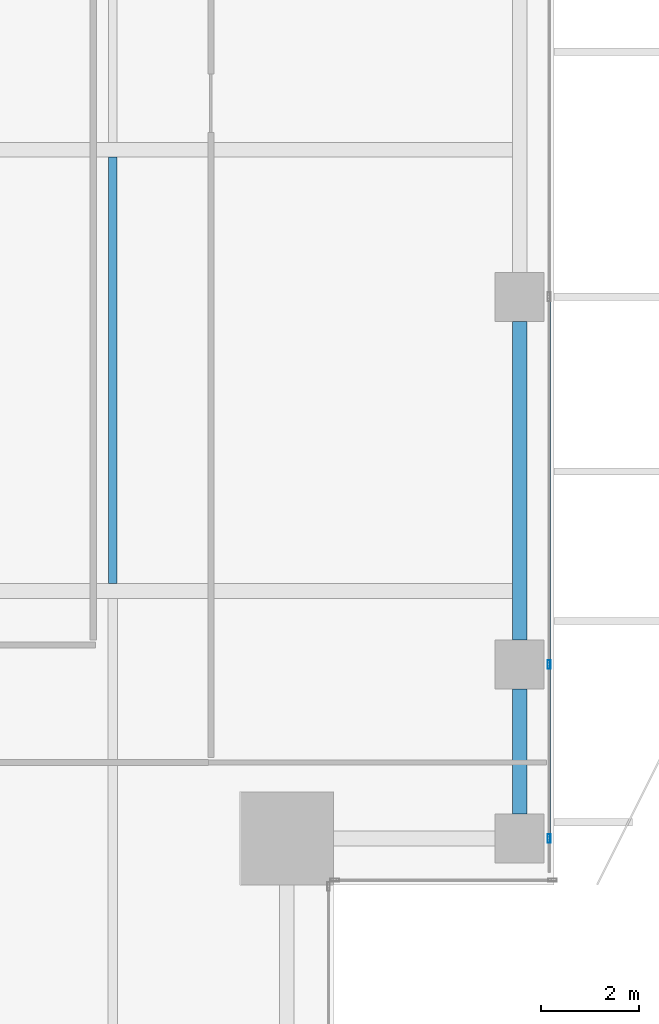
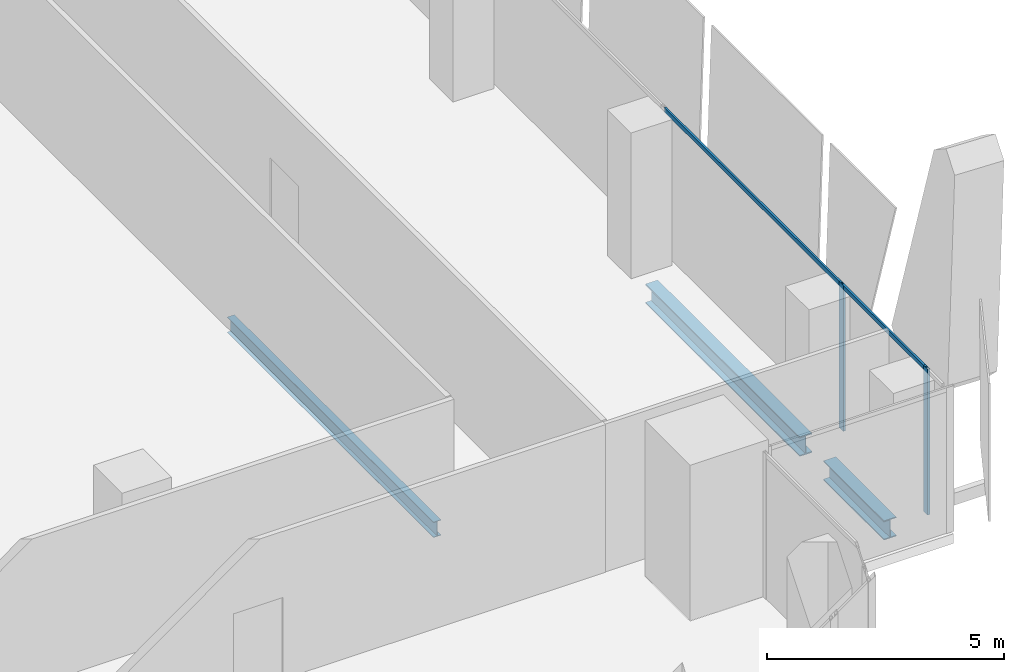
# One storey, part 12 of 38: 4 members, 3 beams, 1 element without a shape of its own.
"""IFC4 building model written with IfcOpenShell, lengths in metres."""

from ifc_helpers import new_model, si_unit, direction, frame, origin, origin_2d, place, context, subcontext, project, spatial, hollow_rectangle, i_section, extrude, source, transform, mapped, material, material_profile, profile_set, type_object, element, aggregate, save


model = new_model("IFC4")

# Units and contexts
model_context = context("Model", 3, precision=1e-05, world=origin(), true_north=direction((0.0, 1.0)))
body_context = subcontext(model_context, "Body", "Model", "MODEL_VIEW")
ifc_project = project(units=[si_unit("LENGTHUNIT", "METRE"), si_unit("AREAUNIT", "SQUARE_METRE"), si_unit("VOLUMEUNIT", "CUBIC_METRE"), si_unit("PLANEANGLEUNIT", "RADIAN"), si_unit("MASSUNIT", "GRAM", prefix="KILO")], contexts=[model_context])

# Site, building, storey
site_placement = place(None, origin())
site = spatial("IfcSite", under=ifc_project, at=site_placement, CompositionType="ELEMENT")
building_placement = place(site_placement, origin())
building = spatial("IfcBuilding", under=site, at=building_placement, Name="Khomas Fold Tower", CompositionType="ELEMENT")
storey_placement = place(building_placement, frame((0.0, 0.0, 208.699951171875)))
storey = spatial("IfcBuildingStorey", under=building, at=storey_placement, Name="L46", CompositionType="ELEMENT", Elevation=208.699951171875)

# Beams
ifc_material_1 = material(Name="Steel S355", Category="steel")
ifc_material_profile_1 = material_profile(ifc_material_1, i_section(OverallWidth=0.179931640625, OverallDepth=0.39990234375, WebThickness=0.008544921875, FlangeThickness=0.013427734375, at=origin_2d()), Name="IPE 400")
ifc_profile_set_1 = profile_set([ifc_material_profile_1], Name="Steel S355")
beam_type_1 = type_object("IfcBeamType", Name="IPE 400 beam JB3", PredefinedType="BEAM", material=ifc_profile_set_1)
shared_shape_1 = source(origin(), body_context, "Body", "SweptSolid", [
    extrude(i_section(OverallWidth=0.179931640625, OverallDepth=0.39990234375, WebThickness=0.008544921875, FlangeThickness=0.013427734375, at=origin_2d()), origin(), (0.0, 0.0, 1.0), 8.7001953125),
])
beam_1_placement = place(storey_placement, frame((42.0, 13.64990234375, -0.449951171875), z_axis=(0.0, 1.0, 0.0), x_axis=(-1.0, 0.0, 0.0)))
element("IfcBeam", 1, at=beam_1_placement, inside=storey, type_object=beam_type_1, Name="JB3", PredefinedType="BEAM", context=body_context, shape_type="MappedRepresentation", body=[
    mapped(shared_shape_1, transform((0.0, 0.0, 0.0))),
])
ifc_material_2 = material(Name="Steel S355", Category="steel")
ifc_material_profile_2 = material_profile(ifc_material_2, i_section(OverallWidth=0.300048828125, OverallDepth=0.5, WebThickness=0.014404296875, FlangeThickness=0.028076171875, at=origin_2d()), Name="HE 500 B")
ifc_profile_set_2 = profile_set([ifc_material_profile_2], Name="Steel S355")
beam_type_2 = type_object("IfcBeamType", Name="HE 500 B spandrel SB3", PredefinedType="SPANDREL", material=ifc_profile_set_2)
shared_shape_2 = source(origin(), body_context, "Body", "SweptSolid", [
    extrude(i_section(OverallWidth=0.300048828125, OverallDepth=0.5, WebThickness=0.014404296875, FlangeThickness=0.028076171875, at=origin_2d()), origin(), (0.0, 0.0, 1.0), 2.550048828125),
])
beam_2_placement = place(storey_placement, frame((50.300048828125, 8.949951171875, -0.5), z_axis=(0.0, 1.0, 0.0), x_axis=(-1.0, 0.0, 0.0)))
element("IfcBeam", 2, at=beam_2_placement, inside=storey, type_object=beam_type_2, Name="SB3", PredefinedType="SPANDREL", context=body_context, shape_type="MappedRepresentation", body=[
    mapped(shared_shape_2, transform((0.0, 0.0, 0.0))),
])
shared_shape_3 = source(origin(), body_context, "Body", "SweptSolid", [
    extrude(i_section(OverallWidth=0.300048828125, OverallDepth=0.5, WebThickness=0.014404296875, FlangeThickness=0.028076171875, at=origin_2d()), origin(), (0.0, 0.0, 1.0), 6.5),
])
beam_3_placement = place(storey_placement, frame((50.300048828125, 12.5, -0.5), z_axis=(0.0, 1.0, 0.0), x_axis=(-1.0, 0.0, 0.0)))
element("IfcBeam", 3, at=beam_3_placement, inside=storey, type_object=beam_type_2, Name="SB3", PredefinedType="SPANDREL", context=body_context, shape_type="MappedRepresentation", body=[
    mapped(shared_shape_3, transform((0.0, 0.0, 0.0))),
])

# Curtain wall, members
ifc_material_3 = material(Name="Aluminium framed double glazing", Category="aluminium")
curtain_wall_type = type_object("IfcCurtainWallType", Name="SK-Unitised clear-glass wall, office floors CW2", PredefinedType="NOTDEFINED", material=ifc_material_3)
curtain_wall_placement = place(storey_placement, origin())
curtain_wall = element("IfcCurtainWall", 4, at=curtain_wall_placement, inside=storey, type_object=curtain_wall_type, Name="CW2 run L46 03-0", PredefinedType="NOTDEFINED")
ifc_material_4 = material(Name="Aluminium", Category="aluminium")
ifc_material_profile_3 = material_profile(ifc_material_4, hollow_rectangle(XDim=0.06005859375, YDim=0.179931640625, WallThickness=0.00390625, at=origin_2d()), Name="SK-Unitised clear-glass wall, office floors mullion CW2-M")
ifc_profile_set_3 = profile_set([ifc_material_profile_3], Name="Aluminium")
member_type_1 = type_object("IfcMemberType", Name="SK-Unitised clear-glass wall, office floors mullion CW2-M", PredefinedType="MULLION", material=ifc_profile_set_3)
shared_shape_4 = source(origin(), body_context, "Body", "SweptSolid", [
    extrude(hollow_rectangle(XDim=0.06005859375, YDim=0.179931640625, WallThickness=0.00390625, at=origin_2d()), origin(), (0.0, 0.0, 1.0), 3.75),
])
member_1_placement = place(storey_placement, frame((50.89990234375, 8.449951171875, 0.0), z_axis=(0.0, 0.0, 1.0), x_axis=(-1.0, 0.0, 0.0)))
member_1 = element("IfcMember", 5, at=member_1_placement, type_object=member_type_1, Name="CW2 mullion 2", PredefinedType="MULLION", context=body_context, shape_type="MappedRepresentation", body=[
    mapped(shared_shape_4, transform((0.0, 0.0, 0.0))),
])
member_2_placement = place(storey_placement, frame((50.89990234375, 12.0, 0.0), z_axis=(0.0, 0.0, 1.0), x_axis=(-1.0, 0.0, 0.0)))
member_2 = element("IfcMember", 6, at=member_2_placement, type_object=member_type_1, Name="CW2 mullion 3", PredefinedType="MULLION", context=body_context, shape_type="MappedRepresentation", body=[
    mapped(shared_shape_4, transform((0.0, 0.0, 0.0))),
])
ifc_material_5 = material(Name="Aluminium", Category="aluminium")
ifc_material_profile_4 = material_profile(ifc_material_5, hollow_rectangle(XDim=0.050048828125, YDim=0.110107421875, WallThickness=0.00390625, at=origin_2d()), Name="SK-Unitised clear-glass wall, office floors transom CW2-T")
ifc_profile_set_4 = profile_set([ifc_material_profile_4], Name="Aluminium")
member_type_2 = type_object("IfcMemberType", Name="SK-Unitised clear-glass wall, office floors transom CW2-T", PredefinedType="USERDEFINED", material=ifc_profile_set_4)
shared_shape_5 = source(origin(), body_context, "Body", "SweptSolid", [
    extrude(hollow_rectangle(XDim=0.050048828125, YDim=0.110107421875, WallThickness=0.00390625, at=origin_2d()), origin(), (0.0, 0.0, 1.0), 3.489990234375),
])
member_3_placement = place(storey_placement, frame((50.89990234375, 8.47998046875, 3.695068359375), z_axis=(0.0, 1.0, 0.0), x_axis=(-1.0, 0.0, 0.0)))
member_3 = element("IfcMember", 7, at=member_3_placement, type_object=member_type_2, Name="CW2 transom 2", ObjectType="TRANSOM", PredefinedType="USERDEFINED", context=body_context, shape_type="MappedRepresentation", body=[
    mapped(shared_shape_5, transform((0.0, 0.0, 0.0))),
])
shared_shape_6 = source(origin(), body_context, "Body", "SweptSolid", [
    extrude(hollow_rectangle(XDim=0.050048828125, YDim=0.110107421875, WallThickness=0.00390625, at=origin_2d()), origin(), (0.0, 0.0, 1.0), 7.43994140625),
])
member_4_placement = place(storey_placement, frame((50.89990234375, 12.030029296875, 3.695068359375), z_axis=(0.0, 1.0, 0.0), x_axis=(-1.0, 0.0, 0.0)))
member_4 = element("IfcMember", 8, at=member_4_placement, type_object=member_type_2, Name="CW2 transom 3", ObjectType="TRANSOM", PredefinedType="USERDEFINED", context=body_context, shape_type="MappedRepresentation", body=[
    mapped(shared_shape_6, transform((0.0, 0.0, 0.0))),
])
aggregate(curtain_wall, [member_1, member_2, member_3, member_4])

save(model, "model.ifc")
